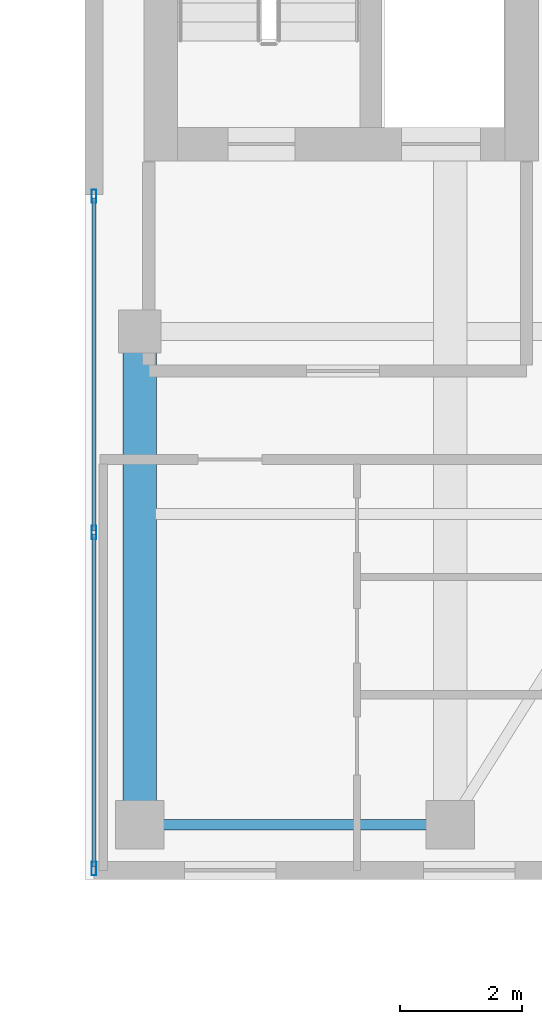
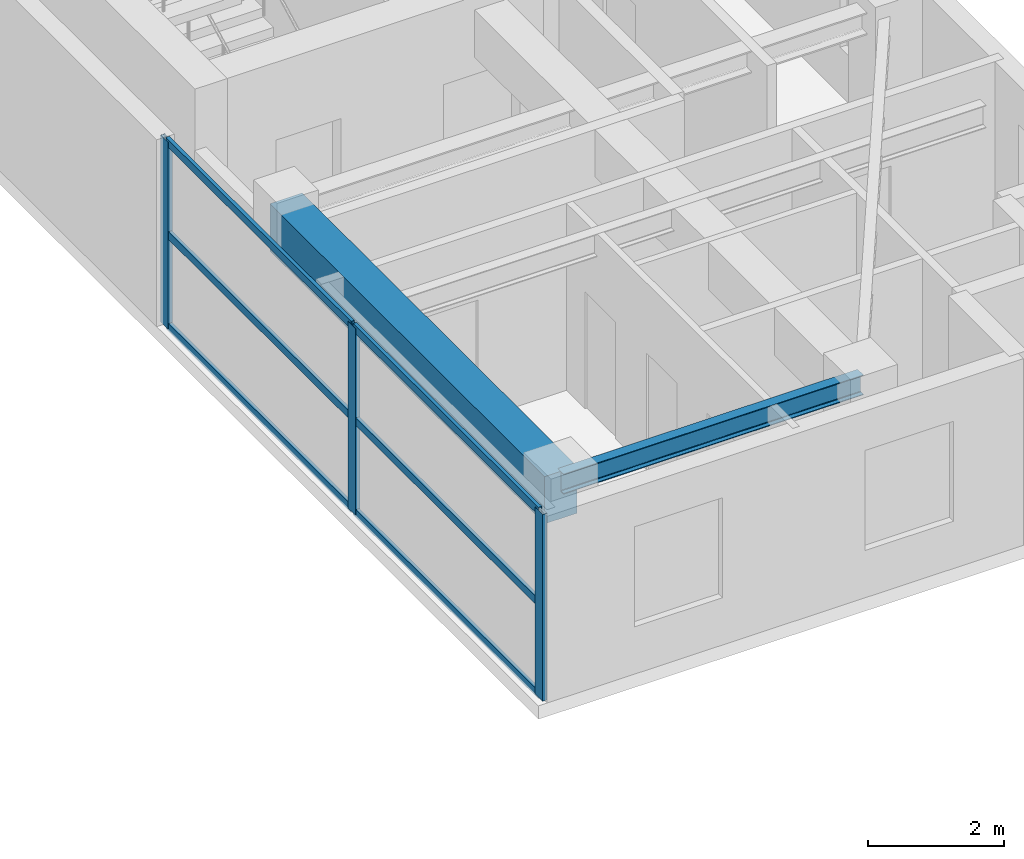
# One storey, part 4 of 22: 9 members, 2 beams, 1 element without a shape of its own.
"""IFC4 building model written with IfcOpenShell, lengths in metres."""

from ifc_helpers import new_model, si_unit, direction, frame, origin, origin_2d, place, context, subcontext, project, spatial, rectangle, hollow_rectangle, i_section, extrude, source, transform, mapped, material, layer, layer_set, material_profile, profile_set, type_object, element, aggregate, save


model = new_model("IFC4")

# Units and contexts
model_context = context("Model", 3, precision=1e-05, world=origin(), true_north=direction((0.0, 1.0)))
body_context = subcontext(model_context, "Body", "Model", "MODEL_VIEW")
ifc_project = project(units=[si_unit("LENGTHUNIT", "METRE"), si_unit("AREAUNIT", "SQUARE_METRE"), si_unit("VOLUMEUNIT", "CUBIC_METRE"), si_unit("PLANEANGLEUNIT", "RADIAN"), si_unit("MASSUNIT", "GRAM", prefix="KILO")], contexts=[model_context])

# Site, building, storey
site_placement = place(None, origin())
site = spatial("IfcSite", under=ifc_project, at=site_placement, CompositionType="ELEMENT")
building_placement = place(site_placement, origin())
building = spatial("IfcBuilding", under=site, at=building_placement, Name="Khoralis Quay Care Tower", CompositionType="ELEMENT")
storey_placement = place(building_placement, frame((0.0, 0.0, 260.10009765625)))
storey = spatial("IfcBuildingStorey", under=building, at=storey_placement, Name="L68", CompositionType="ELEMENT", Elevation=260.10009765625)

# Beams
ifc_material_1 = material(Name="Steel S355", Category="steel")
ifc_material_profile_1 = material_profile(ifc_material_1, i_section(OverallWidth=0.169921875, OverallDepth=0.360107421875, WebThickness=0.008056640625, FlangeThickness=0.0126953125, FilletRadius=0.01806640625, at=origin_2d()), Name="Steel S355")
ifc_profile_set_1 = profile_set([ifc_material_profile_1], Name="Steel S355")
beam_type_1 = type_object("IfcBeamType", Name="BM-IPE360", PredefinedType="SPANDREL", material=ifc_profile_set_1)
shared_shape_1 = source(origin(), body_context, "Body", "SweptSolid", [
    extrude(i_section(OverallWidth=0.169921875, OverallDepth=0.360107421875, WebThickness=0.008056640625, FlangeThickness=0.0126953125, FilletRadius=0.01806640625, at=origin_2d()), origin(), (0.0, 0.0, 1.0), 5.10009765625),
])
beam_1_placement = place(storey_placement, frame((30.89990234375, 3.89990234375, 3.179931640625), z_axis=(1.0, 0.0, 0.0), x_axis=(0.0, 1.0, 0.0)))
element("IfcBeam", 1, at=beam_1_placement, inside=storey, type_object=beam_type_1, Name="BM-TSP-L68-02", PredefinedType="SPANDREL", context=body_context, shape_type="MappedRepresentation", body=[
    mapped(shared_shape_1, transform((0.0, 0.0, 0.0), scale=1.0)),
])
ifc_material_2 = material(Name="Concrete C50/60", Category="concrete")
ifc_material_profile_2 = material_profile(ifc_material_2, rectangle(XDim=0.550048828125, YDim=0.85009765625, at=origin_2d()), Name="Concrete C50/60")
ifc_profile_set_2 = profile_set([ifc_material_profile_2], Name="Concrete C50/60")
beam_type_2 = type_object("IfcBeamType", Name="BM-RC550X850", PredefinedType="BEAM", material=ifc_profile_set_2)
shared_shape_2 = source(origin(), body_context, "Body", "SweptSolid", [
    extrude(rectangle(XDim=0.550048828125, YDim=0.85009765625, at=origin_2d()), origin(), (0.0, 0.0, 1.0), 8.10009765625),
])
beam_2_placement = place(storey_placement, frame((30.89990234375, 3.89990234375, 2.934814453125), z_axis=(0.0, 1.0, 0.0), x_axis=(-1.0, 0.0, 0.0)))
element("IfcBeam", 2, at=beam_2_placement, inside=storey, type_object=beam_type_2, Name="BM-TGYS-L68-309", PredefinedType="BEAM", context=body_context, shape_type="MappedRepresentation", body=[
    mapped(shared_shape_2, transform((0.0, 0.0, 0.0), scale=1.0)),
])

# Curtain wall, members
ifc_material_3 = material(Name="Pale anodised aluminium", Category="aluminium")
ifc_layer = layer(ifc_material_3, 0.18994140625)
ifc_layer_set = layer_set([ifc_layer], Name="Pale anodised aluminium")
curtain_wall_type = type_object("IfcCurtainWallType", Name="CW-SYS-PORTAL", PredefinedType="NOTDEFINED", material=ifc_layer_set)
curtain_wall_placement = place(storey_placement, origin())
curtain_wall = element("IfcCurtainWall", 3, at=curtain_wall_placement, inside=storey, type_object=curtain_wall_type, Name="L68 Unitised Curtain Wall CW-VP-L68-P2-S", PredefinedType="NOTDEFINED")
ifc_material_profile_3 = material_profile(ifc_material_3, hollow_rectangle(XDim=0.06005859375, YDim=0.139892578125, WallThickness=0.00390625, at=origin_2d()), Name="Pale anodised aluminium")
ifc_profile_set_3 = profile_set([ifc_material_profile_3], Name="Pale anodised aluminium")
member_type_1 = type_object("IfcMemberType", Name="CW-TRN-140", PredefinedType="USERDEFINED", material=ifc_profile_set_3)
shared_shape_3 = source(origin(), body_context, "Body", "SweptSolid", [
    extrude(hollow_rectangle(XDim=0.06005859375, YDim=0.139892578125, WallThickness=0.00390625, at=origin_2d()), origin(), (0.0, 0.0, 1.0), 5.4599609375),
])
member_1_placement = place(storey_placement, frame((30.14990234375, 3.2099609375, 0.02978515625), z_axis=(0.0, 1.0, 0.0), x_axis=(-1.0, 0.0, 0.0)))
member_1 = element("IfcMember", 4, at=member_1_placement, type_object=member_type_1, Name="CW4 transom 1.1", ObjectType="TRANSOM", PredefinedType="USERDEFINED", context=body_context, shape_type="MappedRepresentation", body=[
    mapped(shared_shape_3, transform((0.0, 0.0, 0.0), scale=1.0)),
])
member_2_placement = place(storey_placement, frame((30.14990234375, 3.2099609375, 1.679931640625), z_axis=(0.0, 1.0, 0.0), x_axis=(-1.0, 0.0, 0.0)))
member_2 = element("IfcMember", 5, at=member_2_placement, type_object=member_type_1, Name="CW4 transom 1.2", ObjectType="TRANSOM", PredefinedType="USERDEFINED", context=body_context, shape_type="MappedRepresentation", body=[
    mapped(shared_shape_3, transform((0.0, 0.0, 0.0), scale=1.0)),
])
member_3_placement = place(storey_placement, frame((30.14990234375, 3.2099609375, 3.329833984375), z_axis=(0.0, 1.0, 0.0), x_axis=(-1.0, 0.0, 0.0)))
member_3 = element("IfcMember", 6, at=member_3_placement, type_object=member_type_1, Name="CW4 transom 1.3", ObjectType="TRANSOM", PredefinedType="USERDEFINED", context=body_context, shape_type="MappedRepresentation", body=[
    mapped(shared_shape_3, transform((0.0, 0.0, 0.0), scale=1.0)),
])
member_4_placement = place(storey_placement, frame((30.14990234375, 8.72998046875, 0.02978515625), z_axis=(0.0, 1.0, 0.0), x_axis=(-1.0, 0.0, 0.0)))
member_4 = element("IfcMember", 7, at=member_4_placement, type_object=member_type_1, Name="CW4 transom 2.1", ObjectType="TRANSOM", PredefinedType="USERDEFINED", context=body_context, shape_type="MappedRepresentation", body=[
    mapped(shared_shape_3, transform((0.0, 0.0, 0.0), scale=1.0)),
])
member_5_placement = place(storey_placement, frame((30.14990234375, 8.72998046875, 1.679931640625), z_axis=(0.0, 1.0, 0.0), x_axis=(-1.0, 0.0, 0.0)))
member_5 = element("IfcMember", 8, at=member_5_placement, type_object=member_type_1, Name="CW4 transom 2.2", ObjectType="TRANSOM", PredefinedType="USERDEFINED", context=body_context, shape_type="MappedRepresentation", body=[
    mapped(shared_shape_3, transform((0.0, 0.0, 0.0), scale=1.0)),
])
member_6_placement = place(storey_placement, frame((30.14990234375, 8.72998046875, 3.329833984375), z_axis=(0.0, 1.0, 0.0), x_axis=(-1.0, 0.0, 0.0)))
member_6 = element("IfcMember", 9, at=member_6_placement, type_object=member_type_1, Name="CW4 transom 2.3", ObjectType="TRANSOM", PredefinedType="USERDEFINED", context=body_context, shape_type="MappedRepresentation", body=[
    mapped(shared_shape_3, transform((0.0, 0.0, 0.0), scale=1.0)),
])
ifc_material_profile_4 = material_profile(ifc_material_3, hollow_rectangle(XDim=0.074951171875, YDim=0.219970703125, WallThickness=0.00390625, at=origin_2d()), Name="Pale anodised aluminium")
ifc_profile_set_4 = profile_set([ifc_material_profile_4], Name="Pale anodised aluminium")
member_type_2 = type_object("IfcMemberType", Name="CW-MUL-220", PredefinedType="MULLION", material=ifc_profile_set_4)
shared_shape_4 = source(origin(), body_context, "Body", "SweptSolid", [
    extrude(hollow_rectangle(XDim=0.074951171875, YDim=0.219970703125, WallThickness=0.00390625, at=origin_2d()), origin(), (0.0, 0.0, 1.0), 3.35986328125),
])
member_7_placement = place(storey_placement, frame((30.14990234375, 3.179931640625, 0.0), z_axis=(0.0, 0.0, 1.0), x_axis=(-1.0, 0.0, 0.0)))
member_7 = element("IfcMember", 10, at=member_7_placement, type_object=member_type_2, Name="CW4 mullion 1", PredefinedType="MULLION", context=body_context, shape_type="MappedRepresentation", body=[
    mapped(shared_shape_4, transform((0.0, 0.0, 0.0), scale=1.0)),
])
member_8_placement = place(storey_placement, frame((30.14990234375, 8.699951171875, 0.0), z_axis=(0.0, 0.0, 1.0), x_axis=(-1.0, 0.0, 0.0)))
member_8 = element("IfcMember", 11, at=member_8_placement, type_object=member_type_2, Name="CW4 mullion 2", PredefinedType="MULLION", context=body_context, shape_type="MappedRepresentation", body=[
    mapped(shared_shape_4, transform((0.0, 0.0, 0.0), scale=1.0)),
])
member_9_placement = place(storey_placement, frame((30.14990234375, 14.219970703125, 0.0), z_axis=(0.0, 0.0, 1.0), x_axis=(-1.0, 0.0, 0.0)))
member_9 = element("IfcMember", 12, at=member_9_placement, type_object=member_type_2, Name="CW4 mullion 3", PredefinedType="MULLION", context=body_context, shape_type="MappedRepresentation", body=[
    mapped(shared_shape_4, transform((0.0, 0.0, 0.0), scale=1.0)),
])
aggregate(curtain_wall, [member_7, member_8, member_9, member_1, member_2, member_3, member_4, member_5, member_6])

save(model, "model.ifc")
